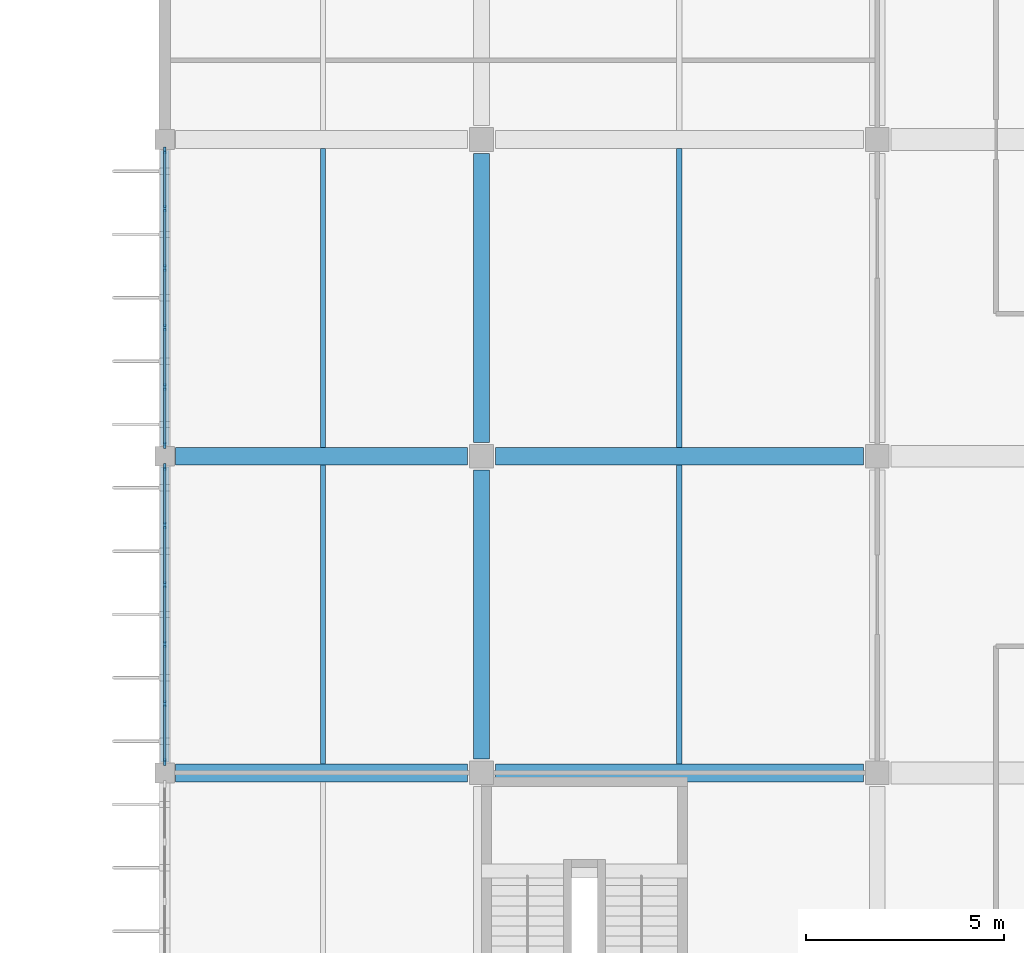
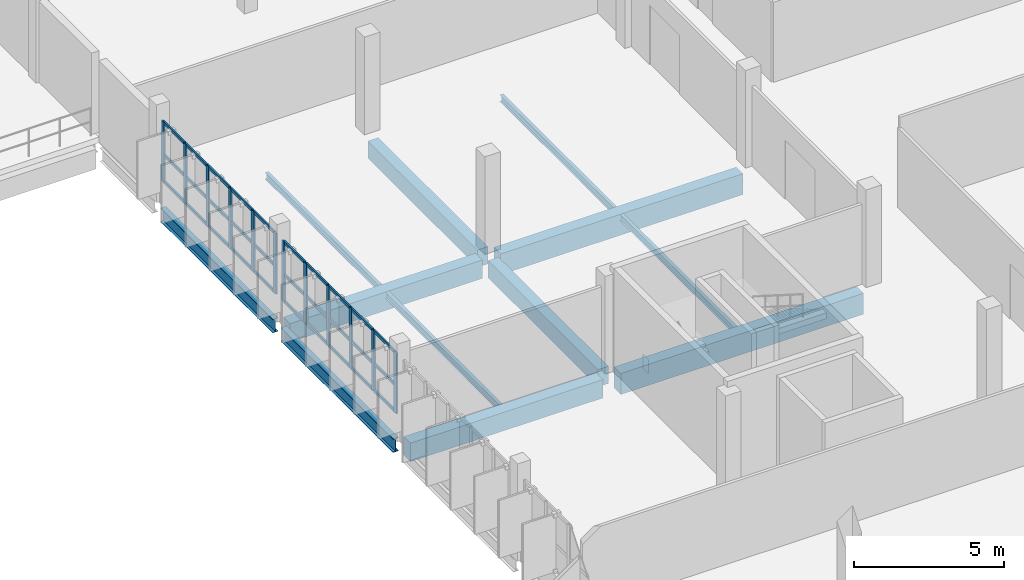
# One storey, part 32 of 66: 42 members, 12 beams, 2 elements without a shape of their own.
"""IFC4 building model written with IfcOpenShell, lengths in metres."""

from ifc_helpers import new_model, si_unit, direction, frame, origin, origin_2d, place, context, subcontext, project, spatial, rectangle, i_section, extrude, material, layer, layer_set, material_profile, profile_set, type_object, element, aggregate, save


model = new_model("IFC4")

# Units and contexts
model_context = context("Model", 3, precision=1e-05, world=origin(), true_north=direction((0.0, 1.0)))
body_context = subcontext(model_context, "Body", "Model", "MODEL_VIEW")
ifc_project = project(units=[si_unit("LENGTHUNIT", "METRE"), si_unit("AREAUNIT", "SQUARE_METRE"), si_unit("VOLUMEUNIT", "CUBIC_METRE"), si_unit("PLANEANGLEUNIT", "RADIAN"), si_unit("MASSUNIT", "GRAM", prefix="KILO")], contexts=[model_context])

# Site, building, storey
site_placement = place(None, origin())
site = spatial("IfcSite", under=ifc_project, at=site_placement, CompositionType="ELEMENT")
building_placement = place(site_placement, origin())
building = spatial("IfcBuilding", under=site, at=building_placement, Name="Drelvana Railside Aquatics Centre", CompositionType="ELEMENT")
storey_placement = place(building_placement, frame((0.0, 0.0, 10.199951171875)))
storey = spatial("IfcBuildingStorey", under=building, at=storey_placement, Name="L02", CompositionType="ELEMENT", Elevation=10.199951171875)

# Curtain wall, members
ifc_material_1 = material(Name="Bronze-anodised aluminium curtain wall", Category="aluminium")
ifc_layer = layer(ifc_material_1, 0.175048828125, Name="Bronze-anodised aluminium curtain wall")
ifc_layer_set = layer_set([ifc_layer], Name="Bronze-anodised aluminium curtain wall")
curtain_wall_type = type_object("IfcCurtainWallType", Name="CW-Z6-WING", PredefinedType="NOTDEFINED", material=ifc_layer_set)
curtain_wall_1_placement = place(storey_placement, origin())
curtain_wall_1 = element("IfcCurtainWall", 1, at=curtain_wall_1_placement, inside=storey, type_object=curtain_wall_type, Name="Curtain wall CW-06-157", PredefinedType="NOTDEFINED")
ifc_material_2 = material(Name="Bronze-anodised aluminium 6063-T6", Category="aluminium")
ifc_material_profile_1 = material_profile(ifc_material_2, rectangle(XDim=0.06494140625, YDim=0.175048828125, at=origin_2d()), Name="ALU-M 65x175")
ifc_profile_set_1 = profile_set([ifc_material_profile_1], Name="Bronze-anodised aluminium 6063-T6")
member_type_1 = type_object("IfcMemberType", Name="CW-Z6-WING-MUL", PredefinedType="MULLION", material=ifc_profile_set_1)
member_1_placement = place(storey_placement, frame((144.0, 64.276611328125, 0.7939453125), z_axis=(0.0, 0.0, 1.0), x_axis=(-1.0, 0.0, 0.0)))
member_1 = element("IfcMember", 2, at=member_1_placement, type_object=member_type_1, Name="CW-06 mullion 1", PredefinedType="MULLION", context=body_context, shape_type="SweptSolid", body=[
    extrude(rectangle(XDim=0.06494140625, YDim=0.175048828125, at=origin_2d()), origin(), (0.0, 0.0, 1.0), 2.4560546875),
])
member_2_placement = place(storey_placement, frame((144.0, 65.746337890625, 0.7939453125), z_axis=(0.0, 0.0, 1.0), x_axis=(-1.0, 0.0, 0.0)))
member_2 = element("IfcMember", 3, at=member_2_placement, type_object=member_type_1, Name="CW-06 mullion 2", PredefinedType="MULLION", context=body_context, shape_type="SweptSolid", body=[
    extrude(rectangle(XDim=0.06494140625, YDim=0.175048828125, at=origin_2d()), origin(), (0.0, 0.0, 1.0), 2.4560546875),
])
member_3_placement = place(storey_placement, frame((144.0, 67.248779296875, 0.7939453125), z_axis=(0.0, 0.0, 1.0), x_axis=(-1.0, 0.0, 0.0)))
member_3 = element("IfcMember", 4, at=member_3_placement, type_object=member_type_1, Name="CW-06 mullion 3", PredefinedType="MULLION", context=body_context, shape_type="SweptSolid", body=[
    extrude(rectangle(XDim=0.06494140625, YDim=0.175048828125, at=origin_2d()), origin(), (0.0, 0.0, 1.0), 2.4560546875),
])
member_4_placement = place(storey_placement, frame((144.0, 68.751220703125, 0.7939453125), z_axis=(0.0, 0.0, 1.0), x_axis=(-1.0, 0.0, 0.0)))
member_4 = element("IfcMember", 5, at=member_4_placement, type_object=member_type_1, Name="CW-06 mullion 4", PredefinedType="MULLION", context=body_context, shape_type="SweptSolid", body=[
    extrude(rectangle(XDim=0.06494140625, YDim=0.175048828125, at=origin_2d()), origin(), (0.0, 0.0, 1.0), 2.4560546875),
])
member_5_placement = place(storey_placement, frame((144.0, 70.253662109375, 0.7939453125), z_axis=(0.0, 0.0, 1.0), x_axis=(-1.0, 0.0, 0.0)))
member_5 = element("IfcMember", 6, at=member_5_placement, type_object=member_type_1, Name="CW-06 mullion 5", PredefinedType="MULLION", context=body_context, shape_type="SweptSolid", body=[
    extrude(rectangle(XDim=0.06494140625, YDim=0.175048828125, at=origin_2d()), origin(), (0.0, 0.0, 1.0), 2.4560546875),
])
member_6_placement = place(storey_placement, frame((144.0, 71.723388671875, 0.7939453125), z_axis=(0.0, 0.0, 1.0), x_axis=(-1.0, 0.0, 0.0)))
member_6 = element("IfcMember", 7, at=member_6_placement, type_object=member_type_1, Name="CW-06 mullion 6", PredefinedType="MULLION", context=body_context, shape_type="SweptSolid", body=[
    extrude(rectangle(XDim=0.06494140625, YDim=0.175048828125, at=origin_2d()), origin(), (0.0, 0.0, 1.0), 2.4560546875),
])

curtain_wall_2_placement = place(storey_placement, origin())
curtain_wall_2 = element("IfcCurtainWall", 8, at=curtain_wall_2_placement, inside=storey, type_object=curtain_wall_type, Name="Curtain wall CW-06-161", PredefinedType="NOTDEFINED")
member_7_placement = place(storey_placement, frame((144.0, 72.276611328125, 0.7939453125), z_axis=(0.0, 0.0, 1.0), x_axis=(-1.0, 0.0, 0.0)))
member_7 = element("IfcMember", 9, at=member_7_placement, type_object=member_type_1, Name="CW-06 mullion 1", PredefinedType="MULLION", context=body_context, shape_type="SweptSolid", body=[
    extrude(rectangle(XDim=0.06494140625, YDim=0.175048828125, at=origin_2d()), origin(), (0.0, 0.0, 1.0), 2.4560546875),
])
member_8_placement = place(storey_placement, frame((144.0, 73.746337890625, 0.7939453125), z_axis=(0.0, 0.0, 1.0), x_axis=(-1.0, 0.0, 0.0)))
member_8 = element("IfcMember", 10, at=member_8_placement, type_object=member_type_1, Name="CW-06 mullion 2", PredefinedType="MULLION", context=body_context, shape_type="SweptSolid", body=[
    extrude(rectangle(XDim=0.06494140625, YDim=0.175048828125, at=origin_2d()), origin(), (0.0, 0.0, 1.0), 2.4560546875),
])
member_9_placement = place(storey_placement, frame((144.0, 75.248779296875, 0.7939453125), z_axis=(0.0, 0.0, 1.0), x_axis=(-1.0, 0.0, 0.0)))
member_9 = element("IfcMember", 11, at=member_9_placement, type_object=member_type_1, Name="CW-06 mullion 3", PredefinedType="MULLION", context=body_context, shape_type="SweptSolid", body=[
    extrude(rectangle(XDim=0.06494140625, YDim=0.175048828125, at=origin_2d()), origin(), (0.0, 0.0, 1.0), 2.4560546875),
])
member_10_placement = place(storey_placement, frame((144.0, 76.751220703125, 0.7939453125), z_axis=(0.0, 0.0, 1.0), x_axis=(-1.0, 0.0, 0.0)))
member_10 = element("IfcMember", 12, at=member_10_placement, type_object=member_type_1, Name="CW-06 mullion 4", PredefinedType="MULLION", context=body_context, shape_type="SweptSolid", body=[
    extrude(rectangle(XDim=0.06494140625, YDim=0.175048828125, at=origin_2d()), origin(), (0.0, 0.0, 1.0), 2.4560546875),
])
member_11_placement = place(storey_placement, frame((144.0, 78.253662109375, 0.7939453125), z_axis=(0.0, 0.0, 1.0), x_axis=(-1.0, 0.0, 0.0)))
member_11 = element("IfcMember", 13, at=member_11_placement, type_object=member_type_1, Name="CW-06 mullion 5", PredefinedType="MULLION", context=body_context, shape_type="SweptSolid", body=[
    extrude(rectangle(XDim=0.06494140625, YDim=0.175048828125, at=origin_2d()), origin(), (0.0, 0.0, 1.0), 2.4560546875),
])
member_12_placement = place(storey_placement, frame((144.0, 79.723388671875, 0.7939453125), z_axis=(0.0, 0.0, 1.0), x_axis=(-1.0, 0.0, 0.0)))
member_12 = element("IfcMember", 14, at=member_12_placement, type_object=member_type_1, Name="CW-06 mullion 6", PredefinedType="MULLION", context=body_context, shape_type="SweptSolid", body=[
    extrude(rectangle(XDim=0.06494140625, YDim=0.175048828125, at=origin_2d()), origin(), (0.0, 0.0, 1.0), 2.4560546875),
])

# Member
ifc_material_profile_2 = material_profile(ifc_material_2, rectangle(XDim=0.1201171875, YDim=0.06005859375, at=origin_2d()), Name="ALU-T 60x120")
ifc_profile_set_2 = profile_set([ifc_material_profile_2], Name="Bronze-anodised aluminium 6063-T6")
member_type_2 = type_object("IfcMemberType", Name="CW-Z6-WING-TRN", PredefinedType="USERDEFINED", material=ifc_profile_set_2)
member_13_placement = place(storey_placement, frame((144.0, 64.303955078125, 0.823974609375), z_axis=(0.0, 1.0, 0.0), x_axis=(0.0, 0.0, 1.0)))
member_13 = element("IfcMember", 15, at=member_13_placement, type_object=member_type_2, Name="CW-06 transom 1.1", ObjectType="TRANSOM", PredefinedType="USERDEFINED", context=body_context, shape_type="SweptSolid", body=[
    extrude(rectangle(XDim=0.1201171875, YDim=0.06005859375, at=origin_2d()), origin(), (0.0, 0.0, 1.0), 1.4150390625),
])

member_14_placement = place(storey_placement, frame((144.0, 64.303955078125, 1.899169921875), z_axis=(0.0, 1.0, 0.0), x_axis=(0.0, 0.0, 1.0)))
member_14 = element("IfcMember", 16, at=member_14_placement, type_object=member_type_2, Name="CW-06 transom 1.2", ObjectType="TRANSOM", PredefinedType="USERDEFINED", context=body_context, shape_type="SweptSolid", body=[
    extrude(rectangle(XDim=0.1201171875, YDim=0.06005859375, at=origin_2d()), origin(), (0.0, 0.0, 1.0), 1.4150390625),
])

member_15_placement = place(storey_placement, frame((144.0, 64.303955078125, 3.219970703125), z_axis=(0.0, 1.0, 0.0), x_axis=(0.0, 0.0, 1.0)))
member_15 = element("IfcMember", 17, at=member_15_placement, type_object=member_type_2, Name="CW-06 transom 1.3", ObjectType="TRANSOM", PredefinedType="USERDEFINED", context=body_context, shape_type="SweptSolid", body=[
    extrude(rectangle(XDim=0.1201171875, YDim=0.06005859375, at=origin_2d()), origin(), (0.0, 0.0, 1.0), 1.4150390625),
])

member_16_placement = place(storey_placement, frame((144.0, 65.77392578125, 0.823974609375), z_axis=(0.0, 1.0, 0.0), x_axis=(0.0, 0.0, 1.0)))
member_16 = element("IfcMember", 18, at=member_16_placement, type_object=member_type_2, Name="CW-06 transom 2.1", ObjectType="TRANSOM", PredefinedType="USERDEFINED", context=body_context, shape_type="SweptSolid", body=[
    extrude(rectangle(XDim=0.1201171875, YDim=0.06005859375, at=origin_2d()), origin(), (0.0, 0.0, 1.0), 1.447265625),
])

member_17_placement = place(storey_placement, frame((144.0, 65.77392578125, 1.899169921875), z_axis=(0.0, 1.0, 0.0), x_axis=(0.0, 0.0, 1.0)))
member_17 = element("IfcMember", 19, at=member_17_placement, type_object=member_type_2, Name="CW-06 transom 2.2", ObjectType="TRANSOM", PredefinedType="USERDEFINED", context=body_context, shape_type="SweptSolid", body=[
    extrude(rectangle(XDim=0.1201171875, YDim=0.06005859375, at=origin_2d()), origin(), (0.0, 0.0, 1.0), 1.447265625),
])

member_18_placement = place(storey_placement, frame((144.0, 65.77392578125, 3.219970703125), z_axis=(0.0, 1.0, 0.0), x_axis=(0.0, 0.0, 1.0)))
member_18 = element("IfcMember", 20, at=member_18_placement, type_object=member_type_2, Name="CW-06 transom 2.3", ObjectType="TRANSOM", PredefinedType="USERDEFINED", context=body_context, shape_type="SweptSolid", body=[
    extrude(rectangle(XDim=0.1201171875, YDim=0.06005859375, at=origin_2d()), origin(), (0.0, 0.0, 1.0), 1.447265625),
])

member_19_placement = place(storey_placement, frame((144.0, 67.2763671875, 0.823974609375), z_axis=(0.0, 1.0, 0.0), x_axis=(0.0, 0.0, 1.0)))
member_19 = element("IfcMember", 21, at=member_19_placement, type_object=member_type_2, Name="CW-06 transom 3.1", ObjectType="TRANSOM", PredefinedType="USERDEFINED", context=body_context, shape_type="SweptSolid", body=[
    extrude(rectangle(XDim=0.1201171875, YDim=0.06005859375, at=origin_2d()), origin(), (0.0, 0.0, 1.0), 1.447265625),
])

member_20_placement = place(storey_placement, frame((144.0, 67.2763671875, 1.899169921875), z_axis=(0.0, 1.0, 0.0), x_axis=(0.0, 0.0, 1.0)))
member_20 = element("IfcMember", 22, at=member_20_placement, type_object=member_type_2, Name="CW-06 transom 3.2", ObjectType="TRANSOM", PredefinedType="USERDEFINED", context=body_context, shape_type="SweptSolid", body=[
    extrude(rectangle(XDim=0.1201171875, YDim=0.06005859375, at=origin_2d()), origin(), (0.0, 0.0, 1.0), 1.447265625),
])

member_21_placement = place(storey_placement, frame((144.0, 67.2763671875, 3.219970703125), z_axis=(0.0, 1.0, 0.0), x_axis=(0.0, 0.0, 1.0)))
member_21 = element("IfcMember", 23, at=member_21_placement, type_object=member_type_2, Name="CW-06 transom 3.3", ObjectType="TRANSOM", PredefinedType="USERDEFINED", context=body_context, shape_type="SweptSolid", body=[
    extrude(rectangle(XDim=0.1201171875, YDim=0.06005859375, at=origin_2d()), origin(), (0.0, 0.0, 1.0), 1.447265625),
])

member_22_placement = place(storey_placement, frame((144.0, 68.77880859375, 0.823974609375), z_axis=(0.0, 1.0, 0.0), x_axis=(0.0, 0.0, 1.0)))
member_22 = element("IfcMember", 24, at=member_22_placement, type_object=member_type_2, Name="CW-06 transom 4.1", ObjectType="TRANSOM", PredefinedType="USERDEFINED", context=body_context, shape_type="SweptSolid", body=[
    extrude(rectangle(XDim=0.1201171875, YDim=0.06005859375, at=origin_2d()), origin(), (0.0, 0.0, 1.0), 1.447265625),
])

member_23_placement = place(storey_placement, frame((144.0, 68.77880859375, 1.899169921875), z_axis=(0.0, 1.0, 0.0), x_axis=(0.0, 0.0, 1.0)))
member_23 = element("IfcMember", 25, at=member_23_placement, type_object=member_type_2, Name="CW-06 transom 4.2", ObjectType="TRANSOM", PredefinedType="USERDEFINED", context=body_context, shape_type="SweptSolid", body=[
    extrude(rectangle(XDim=0.1201171875, YDim=0.06005859375, at=origin_2d()), origin(), (0.0, 0.0, 1.0), 1.447265625),
])

member_24_placement = place(storey_placement, frame((144.0, 68.77880859375, 3.219970703125), z_axis=(0.0, 1.0, 0.0), x_axis=(0.0, 0.0, 1.0)))
member_24 = element("IfcMember", 26, at=member_24_placement, type_object=member_type_2, Name="CW-06 transom 4.3", ObjectType="TRANSOM", PredefinedType="USERDEFINED", context=body_context, shape_type="SweptSolid", body=[
    extrude(rectangle(XDim=0.1201171875, YDim=0.06005859375, at=origin_2d()), origin(), (0.0, 0.0, 1.0), 1.447265625),
])

member_25_placement = place(storey_placement, frame((144.0, 70.281005859375, 0.823974609375), z_axis=(0.0, 1.0, 0.0), x_axis=(0.0, 0.0, 1.0)))
member_25 = element("IfcMember", 27, at=member_25_placement, type_object=member_type_2, Name="CW-06 transom 5.1", ObjectType="TRANSOM", PredefinedType="USERDEFINED", context=body_context, shape_type="SweptSolid", body=[
    extrude(rectangle(XDim=0.1201171875, YDim=0.06005859375, at=origin_2d()), origin(), (0.0, 0.0, 1.0), 1.4150390625),
])

member_26_placement = place(storey_placement, frame((144.0, 70.281005859375, 1.899169921875), z_axis=(0.0, 1.0, 0.0), x_axis=(0.0, 0.0, 1.0)))
member_26 = element("IfcMember", 28, at=member_26_placement, type_object=member_type_2, Name="CW-06 transom 5.2", ObjectType="TRANSOM", PredefinedType="USERDEFINED", context=body_context, shape_type="SweptSolid", body=[
    extrude(rectangle(XDim=0.1201171875, YDim=0.06005859375, at=origin_2d()), origin(), (0.0, 0.0, 1.0), 1.4150390625),
])

member_27_placement = place(storey_placement, frame((144.0, 70.281005859375, 3.219970703125), z_axis=(0.0, 1.0, 0.0), x_axis=(0.0, 0.0, 1.0)))
member_27 = element("IfcMember", 29, at=member_27_placement, type_object=member_type_2, Name="CW-06 transom 5.3", ObjectType="TRANSOM", PredefinedType="USERDEFINED", context=body_context, shape_type="SweptSolid", body=[
    extrude(rectangle(XDim=0.1201171875, YDim=0.06005859375, at=origin_2d()), origin(), (0.0, 0.0, 1.0), 1.4150390625),
])

aggregate(curtain_wall_1, [member_1, member_2, member_3, member_4, member_5, member_6, member_13, member_14, member_15, member_16, member_17, member_18, member_19, member_20, member_21, member_22, member_23, member_24, member_25, member_26, member_27])

member_28_placement = place(storey_placement, frame((144.0, 72.303955078125, 0.823974609375), z_axis=(0.0, 1.0, 0.0), x_axis=(0.0, 0.0, 1.0)))
member_28 = element("IfcMember", 30, at=member_28_placement, type_object=member_type_2, Name="CW-06 transom 1.1", ObjectType="TRANSOM", PredefinedType="USERDEFINED", context=body_context, shape_type="SweptSolid", body=[
    extrude(rectangle(XDim=0.1201171875, YDim=0.06005859375, at=origin_2d()), origin(), (0.0, 0.0, 1.0), 1.4150390625),
])

member_29_placement = place(storey_placement, frame((144.0, 72.303955078125, 1.899169921875), z_axis=(0.0, 1.0, 0.0), x_axis=(0.0, 0.0, 1.0)))
member_29 = element("IfcMember", 31, at=member_29_placement, type_object=member_type_2, Name="CW-06 transom 1.2", ObjectType="TRANSOM", PredefinedType="USERDEFINED", context=body_context, shape_type="SweptSolid", body=[
    extrude(rectangle(XDim=0.1201171875, YDim=0.06005859375, at=origin_2d()), origin(), (0.0, 0.0, 1.0), 1.4150390625),
])

member_30_placement = place(storey_placement, frame((144.0, 72.303955078125, 3.219970703125), z_axis=(0.0, 1.0, 0.0), x_axis=(0.0, 0.0, 1.0)))
member_30 = element("IfcMember", 32, at=member_30_placement, type_object=member_type_2, Name="CW-06 transom 1.3", ObjectType="TRANSOM", PredefinedType="USERDEFINED", context=body_context, shape_type="SweptSolid", body=[
    extrude(rectangle(XDim=0.1201171875, YDim=0.06005859375, at=origin_2d()), origin(), (0.0, 0.0, 1.0), 1.4150390625),
])

member_31_placement = place(storey_placement, frame((144.0, 73.77392578125, 0.823974609375), z_axis=(0.0, 1.0, 0.0), x_axis=(0.0, 0.0, 1.0)))
member_31 = element("IfcMember", 33, at=member_31_placement, type_object=member_type_2, Name="CW-06 transom 2.1", ObjectType="TRANSOM", PredefinedType="USERDEFINED", context=body_context, shape_type="SweptSolid", body=[
    extrude(rectangle(XDim=0.1201171875, YDim=0.06005859375, at=origin_2d()), origin(), (0.0, 0.0, 1.0), 1.447265625),
])

member_32_placement = place(storey_placement, frame((144.0, 73.77392578125, 1.899169921875), z_axis=(0.0, 1.0, 0.0), x_axis=(0.0, 0.0, 1.0)))
member_32 = element("IfcMember", 34, at=member_32_placement, type_object=member_type_2, Name="CW-06 transom 2.2", ObjectType="TRANSOM", PredefinedType="USERDEFINED", context=body_context, shape_type="SweptSolid", body=[
    extrude(rectangle(XDim=0.1201171875, YDim=0.06005859375, at=origin_2d()), origin(), (0.0, 0.0, 1.0), 1.447265625),
])

member_33_placement = place(storey_placement, frame((144.0, 73.77392578125, 3.219970703125), z_axis=(0.0, 1.0, 0.0), x_axis=(0.0, 0.0, 1.0)))
member_33 = element("IfcMember", 35, at=member_33_placement, type_object=member_type_2, Name="CW-06 transom 2.3", ObjectType="TRANSOM", PredefinedType="USERDEFINED", context=body_context, shape_type="SweptSolid", body=[
    extrude(rectangle(XDim=0.1201171875, YDim=0.06005859375, at=origin_2d()), origin(), (0.0, 0.0, 1.0), 1.447265625),
])

member_34_placement = place(storey_placement, frame((144.0, 75.2763671875, 0.823974609375), z_axis=(0.0, 1.0, 0.0), x_axis=(0.0, 0.0, 1.0)))
member_34 = element("IfcMember", 36, at=member_34_placement, type_object=member_type_2, Name="CW-06 transom 3.1", ObjectType="TRANSOM", PredefinedType="USERDEFINED", context=body_context, shape_type="SweptSolid", body=[
    extrude(rectangle(XDim=0.1201171875, YDim=0.06005859375, at=origin_2d()), origin(), (0.0, 0.0, 1.0), 1.447265625),
])

member_35_placement = place(storey_placement, frame((144.0, 75.2763671875, 1.899169921875), z_axis=(0.0, 1.0, 0.0), x_axis=(0.0, 0.0, 1.0)))
member_35 = element("IfcMember", 37, at=member_35_placement, type_object=member_type_2, Name="CW-06 transom 3.2", ObjectType="TRANSOM", PredefinedType="USERDEFINED", context=body_context, shape_type="SweptSolid", body=[
    extrude(rectangle(XDim=0.1201171875, YDim=0.06005859375, at=origin_2d()), origin(), (0.0, 0.0, 1.0), 1.447265625),
])

member_36_placement = place(storey_placement, frame((144.0, 75.2763671875, 3.219970703125), z_axis=(0.0, 1.0, 0.0), x_axis=(0.0, 0.0, 1.0)))
member_36 = element("IfcMember", 38, at=member_36_placement, type_object=member_type_2, Name="CW-06 transom 3.3", ObjectType="TRANSOM", PredefinedType="USERDEFINED", context=body_context, shape_type="SweptSolid", body=[
    extrude(rectangle(XDim=0.1201171875, YDim=0.06005859375, at=origin_2d()), origin(), (0.0, 0.0, 1.0), 1.447265625),
])

member_37_placement = place(storey_placement, frame((144.0, 76.77880859375, 0.823974609375), z_axis=(0.0, 1.0, 0.0), x_axis=(0.0, 0.0, 1.0)))
member_37 = element("IfcMember", 39, at=member_37_placement, type_object=member_type_2, Name="CW-06 transom 4.1", ObjectType="TRANSOM", PredefinedType="USERDEFINED", context=body_context, shape_type="SweptSolid", body=[
    extrude(rectangle(XDim=0.1201171875, YDim=0.06005859375, at=origin_2d()), origin(), (0.0, 0.0, 1.0), 1.447265625),
])

member_38_placement = place(storey_placement, frame((144.0, 76.77880859375, 1.899169921875), z_axis=(0.0, 1.0, 0.0), x_axis=(0.0, 0.0, 1.0)))
member_38 = element("IfcMember", 40, at=member_38_placement, type_object=member_type_2, Name="CW-06 transom 4.2", ObjectType="TRANSOM", PredefinedType="USERDEFINED", context=body_context, shape_type="SweptSolid", body=[
    extrude(rectangle(XDim=0.1201171875, YDim=0.06005859375, at=origin_2d()), origin(), (0.0, 0.0, 1.0), 1.447265625),
])

member_39_placement = place(storey_placement, frame((144.0, 76.77880859375, 3.219970703125), z_axis=(0.0, 1.0, 0.0), x_axis=(0.0, 0.0, 1.0)))
member_39 = element("IfcMember", 41, at=member_39_placement, type_object=member_type_2, Name="CW-06 transom 4.3", ObjectType="TRANSOM", PredefinedType="USERDEFINED", context=body_context, shape_type="SweptSolid", body=[
    extrude(rectangle(XDim=0.1201171875, YDim=0.06005859375, at=origin_2d()), origin(), (0.0, 0.0, 1.0), 1.447265625),
])

member_40_placement = place(storey_placement, frame((144.0, 78.281005859375, 0.823974609375), z_axis=(0.0, 1.0, 0.0), x_axis=(0.0, 0.0, 1.0)))
member_40 = element("IfcMember", 42, at=member_40_placement, type_object=member_type_2, Name="CW-06 transom 5.1", ObjectType="TRANSOM", PredefinedType="USERDEFINED", context=body_context, shape_type="SweptSolid", body=[
    extrude(rectangle(XDim=0.1201171875, YDim=0.06005859375, at=origin_2d()), origin(), (0.0, 0.0, 1.0), 1.4150390625),
])

member_41_placement = place(storey_placement, frame((144.0, 78.281005859375, 1.899169921875), z_axis=(0.0, 1.0, 0.0), x_axis=(0.0, 0.0, 1.0)))
member_41 = element("IfcMember", 43, at=member_41_placement, type_object=member_type_2, Name="CW-06 transom 5.2", ObjectType="TRANSOM", PredefinedType="USERDEFINED", context=body_context, shape_type="SweptSolid", body=[
    extrude(rectangle(XDim=0.1201171875, YDim=0.06005859375, at=origin_2d()), origin(), (0.0, 0.0, 1.0), 1.4150390625),
])

member_42_placement = place(storey_placement, frame((144.0, 78.281005859375, 3.219970703125), z_axis=(0.0, 1.0, 0.0), x_axis=(0.0, 0.0, 1.0)))
member_42 = element("IfcMember", 44, at=member_42_placement, type_object=member_type_2, Name="CW-06 transom 5.3", ObjectType="TRANSOM", PredefinedType="USERDEFINED", context=body_context, shape_type="SweptSolid", body=[
    extrude(rectangle(XDim=0.1201171875, YDim=0.06005859375, at=origin_2d()), origin(), (0.0, 0.0, 1.0), 1.4150390625),
])

aggregate(curtain_wall_2, [member_7, member_8, member_9, member_10, member_11, member_12, member_28, member_29, member_30, member_31, member_32, member_33, member_34, member_35, member_36, member_37, member_38, member_39, member_40, member_41, member_42])

# Beams
ifc_material_3 = material(Name="Concrete C40/50", Category="concrete")
ifc_material_profile_3 = material_profile(ifc_material_3, rectangle(XDim=0.39990234375, YDim=0.699951171875, at=origin_2d()), Name="RC 400x700")
ifc_profile_set_3 = profile_set([ifc_material_profile_3], Name="Concrete C40/50")
beam_type_1 = type_object("IfcBeamType", Name="STR-BM-BM-03-RC-400x700", PredefinedType="BEAM", material=ifc_profile_set_3)
for number, where, z_axis, x_axis, name in (
    (45, (152.0, 64.35009765625, -0.599853515625), (0.0, 1.0, 0.0), (-1.0, 0.0, 0.0), "Girder BM-03 (L02)"),
    (46, (152.0, 72.35009765625, -0.599853515625), (0.0, 1.0, 0.0), (-1.0, 0.0, 0.0), "Girder BM-03 (L02)"),
):
    element("IfcBeam", number, at=place(storey_placement, frame(where, z_axis=z_axis, x_axis=x_axis)), inside=storey, type_object=beam_type_1, Name=name, PredefinedType="BEAM", context=body_context, shape_type="SweptSolid", body=[
        extrude(rectangle(XDim=0.39990234375, YDim=0.699951171875, at=origin_2d()), origin(), (0.0, 0.0, 1.0), 7.2998046875),
    ])
ifc_material_profile_4 = material_profile(ifc_material_3, rectangle(XDim=0.449951171875, YDim=0.75, at=origin_2d()), Name="RC 450x750")
ifc_profile_set_4 = profile_set([ifc_material_profile_4], Name="Concrete C40/50")
beam_type_2 = type_object("IfcBeamType", Name="STR-BM-BM-04-RC-450x750", PredefinedType="BEAM", material=ifc_profile_set_4)
for number, where, z_axis, x_axis, name in (
    (47, (144.27490234375, 64.0, -0.625), (1.0, 0.0, 0.0), (0.0, 1.0, 0.0), "Girder BM-04 (L02)"),
    (48, (144.27490234375, 72.0, -0.625), (1.0, 0.0, 0.0), (0.0, 1.0, 0.0), "Girder BM-04 (L02)"),
):
    element("IfcBeam", number, at=place(storey_placement, frame(where, z_axis=z_axis, x_axis=x_axis)), inside=storey, type_object=beam_type_2, Name=name, PredefinedType="BEAM", context=body_context, shape_type="SweptSolid", body=[
        extrude(rectangle(XDim=0.449951171875, YDim=0.75, at=origin_2d()), origin(), (0.0, 0.0, 1.0), 7.375),
    ])
ifc_material_profile_5 = material_profile(ifc_material_3, rectangle(XDim=0.449951171875, YDim=0.85009765625, at=origin_2d()), Name="RC 450x850")
ifc_profile_set_5 = profile_set([ifc_material_profile_5], Name="Concrete C40/50")
beam_type_3 = type_object("IfcBeamType", Name="STR-BM-BM-05-RC-450x850", PredefinedType="BEAM", material=ifc_profile_set_5)
for number, where, z_axis, x_axis, name in (
    (49, (152.35009765625, 64.0, -0.675048828125), (1.0, 0.0, 0.0), (0.0, 1.0, 0.0), "Girder BM-05 (L02)"),
    (50, (152.35009765625, 72.0, -0.675048828125), (1.0, 0.0, 0.0), (0.0, 1.0, 0.0), "Girder BM-05 (L02)"),
):
    element("IfcBeam", number, at=place(storey_placement, frame(where, z_axis=z_axis, x_axis=x_axis)), inside=storey, type_object=beam_type_3, Name=name, PredefinedType="BEAM", context=body_context, shape_type="SweptSolid", body=[
        extrude(rectangle(XDim=0.449951171875, YDim=0.85009765625, at=origin_2d()), origin(), (0.0, 0.0, 1.0), 9.2998046875),
    ])
ifc_material_4 = material(Name="Structural steel S355", Category="steel")
ifc_material_profile_6 = material_profile(ifc_material_4, i_section(OverallWidth=0.2099609375, OverallDepth=0.550048828125, WebThickness=0.010986328125, FlangeThickness=0.01708984375, at=origin_2d()), Name="IPE 550")
ifc_profile_set_6 = profile_set([ifc_material_profile_6], Name="Structural steel S355")
beam_type_4 = type_object("IfcBeamType", Name="STR-SBM-SB-04-IPE-550", PredefinedType="SPANDREL", material=ifc_profile_set_6)
for number, where, z_axis, x_axis, name in (
    (51, (144.0, 64.27490234375, -0.52490234375), (0.0, 1.0, 0.0), (-1.0, 0.0, 0.0), "Girder SB-04 (L02)"),
    (52, (144.0, 72.27490234375, -0.52490234375), (0.0, 1.0, 0.0), (-1.0, 0.0, 0.0), "Girder SB-04 (L02)"),
):
    element("IfcBeam", number, at=place(storey_placement, frame(where, z_axis=z_axis, x_axis=x_axis)), inside=storey, type_object=beam_type_4, Name=name, PredefinedType="SPANDREL", context=body_context, shape_type="SweptSolid", body=[
        extrude(i_section(OverallWidth=0.2099609375, OverallDepth=0.550048828125, WebThickness=0.010986328125, FlangeThickness=0.01708984375, at=origin_2d()), origin(), (0.0, 0.0, 1.0), 7.4501953125),
    ])
ifc_material_profile_7 = material_profile(ifc_material_4, i_section(OverallWidth=0.135009765625, OverallDepth=0.27001953125, WebThickness=0.006591796875, FlangeThickness=0.01025390625, at=origin_2d()), Name="IPE 270")
ifc_profile_set_7 = profile_set([ifc_material_profile_7], Name="Structural steel S355")
beam_type_5 = type_object("IfcBeamType", Name="STR-SBM-SJ-02-IPE-270", PredefinedType="JOIST", material=ifc_profile_set_7)
for number, where, z_axis, x_axis, name in (
    (53, (148.0, 64.22509765625, -0.385009765625), (0.0, 1.0, 0.0), (-1.0, 0.0, 0.0), "Secondary floor joist SJ-02 (L02)"),
    (54, (148.0, 72.22509765625, -0.385009765625), (0.0, 1.0, 0.0), (-1.0, 0.0, 0.0), "Secondary floor joist SJ-02 (L02)"),
    (55, (157.0, 64.22509765625, -0.385009765625), (0.0, 1.0, 0.0), (-1.0, 0.0, 0.0), "Secondary floor joist SJ-02 (L02)"),
    (56, (157.0, 72.22509765625, -0.385009765625), (0.0, 1.0, 0.0), (-1.0, 0.0, 0.0), "Secondary floor joist SJ-02 (L02)"),
):
    element("IfcBeam", number, at=place(storey_placement, frame(where, z_axis=z_axis, x_axis=x_axis)), inside=storey, type_object=beam_type_5, Name=name, PredefinedType="JOIST", context=body_context, shape_type="SweptSolid", body=[
        extrude(i_section(OverallWidth=0.135009765625, OverallDepth=0.27001953125, WebThickness=0.006591796875, FlangeThickness=0.01025390625, at=origin_2d()), origin(), (0.0, 0.0, 1.0), 7.5498046875),
    ])

save(model, "model.ifc")
